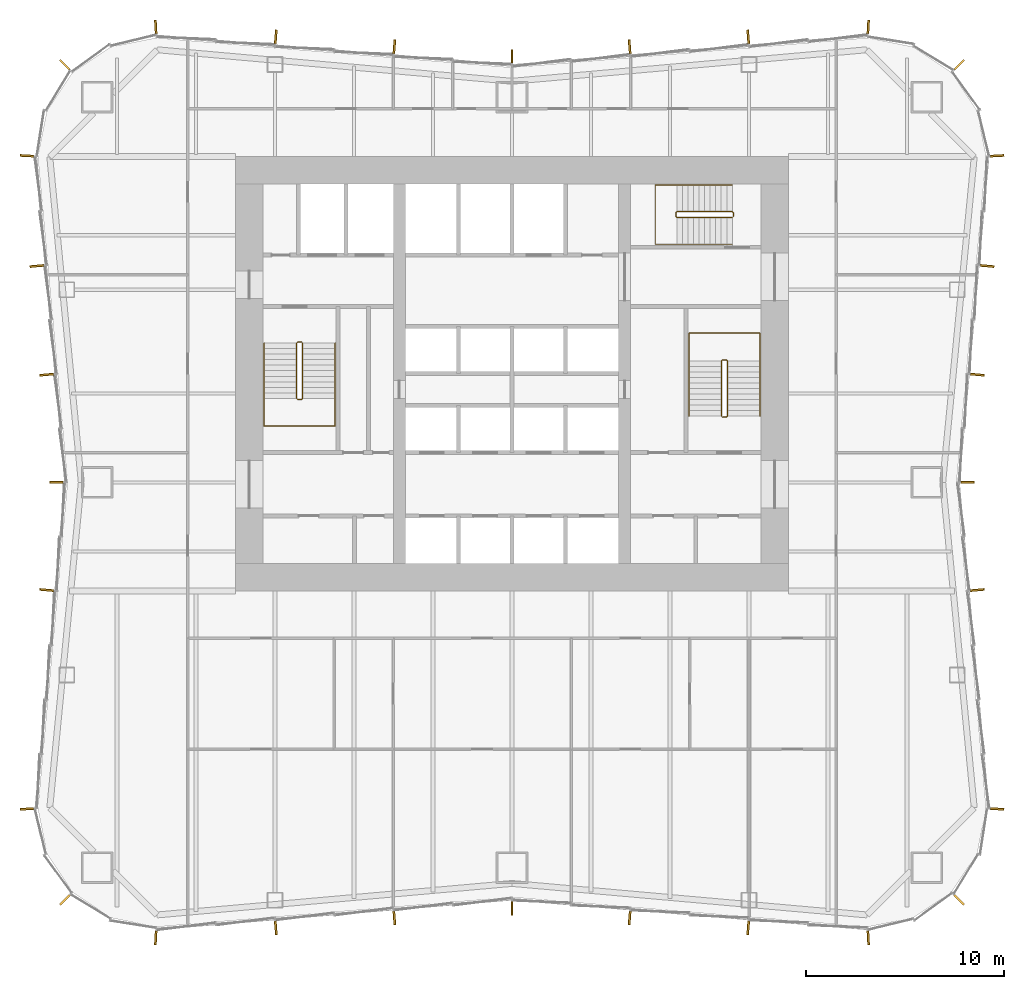
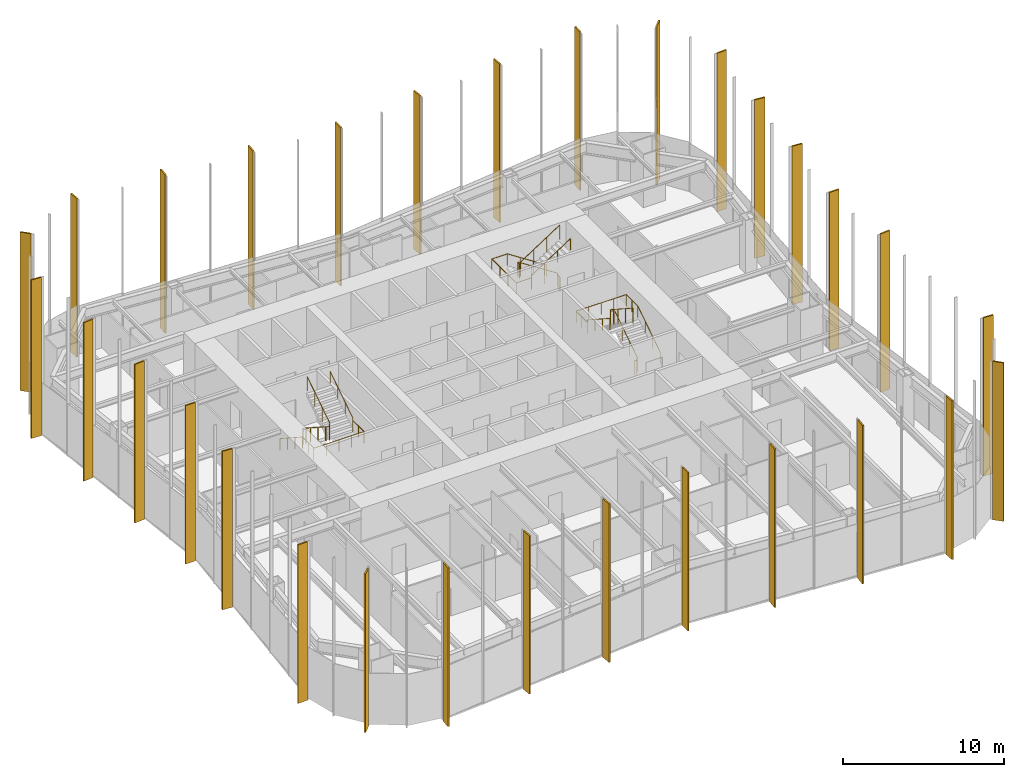
# One storey, part 13 of 13: 30 shading devices, 6 railings.
"""IFC4 building model written with IfcOpenShell, lengths in metres."""

from ifc_helpers import new_model, si_unit, direction, frame, origin, origin_2d, place, context, subcontext, project, spatial, rectangle, circle, extrude, material, layer, layer_set, type_object, element, save


model = new_model("IFC4")

# Units and contexts
model_context = context("Model", 3, precision=1e-05, world=origin(), true_north=direction((0.0, 1.0)))
body_context = subcontext(model_context, "Body", "Model", "MODEL_VIEW")
ifc_project = project(units=[si_unit("LENGTHUNIT", "METRE"), si_unit("AREAUNIT", "SQUARE_METRE"), si_unit("VOLUMEUNIT", "CUBIC_METRE"), si_unit("PLANEANGLEUNIT", "RADIAN"), si_unit("MASSUNIT", "GRAM", prefix="KILO")], contexts=[model_context])

# Site, building, storey
site_placement = place(None, origin())
site = spatial("IfcSite", under=ifc_project, at=site_placement, CompositionType="ELEMENT")
building_placement = place(site_placement, origin())
building = spatial("IfcBuilding", under=site, at=building_placement, Name="Verdant Reach Tower", CompositionType="ELEMENT")
storey_placement = place(building_placement, frame((0.0, 0.0, 38.0)))
storey = spatial("IfcBuildingStorey", under=building, at=storey_placement, Name="L08", CompositionType="ELEMENT", Elevation=38.0)

# Railings
ifc_material_1 = material(Name="Stainless steel", Category="steel")
railing_type_1 = type_object("IfcRailingType", Name="CO-GUARD", PredefinedType="GUARDRAIL", material=ifc_material_1)
railing_1_placement = place(storey_placement, frame((-10.64990234375, 29.60009765625, 0.0)))
element("IfcRailing", 1, at=railing_1_placement, inside=storey, type_object=railing_type_1, Name="L08 ST-1 stair guard 1", PredefinedType="GUARDRAIL", context=body_context, shape_type="SweptSolid", body=[
    extrude(circle(Radius=0.02392578125, at=origin_2d()), frame((0.0, 0.0, 1.076171875), z_axis=(-1.0, 0.0, 0.0), x_axis=(0.0, -1.0, 0.0)), (0.0, 0.0, 1.0), 0.2001953125),
    extrude(circle(Radius=0.02392578125, at=origin_2d()), frame((-0.2001953125, 0.0, 1.076171875), z_axis=(-0.25526617399, -0.256517478764, 0.932222056972), x_axis=(0.708833529934, -0.705375805398, 0.0)), (0.0, 0.0, 1.0), 0.195068359375),
    extrude(circle(Radius=0.02392578125, at=origin_2d()), frame((-0.25, -0.050048828125, 1.2578125), z_axis=(0.0, -0.838705829183, 0.544584733623), x_axis=(1.0, 0.0, 0.0)), (0.0, 0.0, 1.0), 3.338623046875),
    extrude(circle(Radius=0.02392578125, at=origin_2d()), frame((-0.25, -2.85009765625, 3.076171875), z_axis=(0.705375805398, -0.708833529934, 0.0), x_axis=(0.708833529934, 0.705375805398, 0.0)), (0.0, 0.0, 1.0), 0.070556640625),
    extrude(circle(Radius=0.02392578125, at=origin_2d()), frame((-0.2001953125, -2.900146484375, 3.076171875), z_axis=(1.0, 0.0, 0.0), x_axis=(0.0, 1.0, 0.0)), (0.0, 0.0, 1.0), 0.2001953125),
    extrude(circle(Radius=0.02392578125, at=origin_2d()), frame((0.0, -2.900146484375, 3.076171875), z_axis=(0.25526617399, 0.256517478764, 0.932222056972), x_axis=(-0.708833529934, 0.705375805398, 0.0)), (0.0, 0.0, 1.0), 0.195068359375),
    extrude(circle(Radius=0.02392578125, at=origin_2d()), frame((0.0498046875, -2.85009765625, 3.2578125), z_axis=(0.0, 0.838705829183, 0.544584733623), x_axis=(-1.0, 0.0, 0.0)), (0.0, 0.0, 1.0), 3.338623046875),
    extrude(circle(Radius=0.02099609375, at=origin_2d()), origin(), (0.0, 0.0, 1.0), 1.052001953125),
    extrude(circle(Radius=0.02099609375, at=origin_2d()), frame((-0.2001953125, 0.0, 0.0)), (0.0, 0.0, 1.0), 1.052001953125),
    extrude(circle(Radius=0.02099609375, at=origin_2d()), frame((-0.25, -0.050048828125, 0.181884765625)), (0.0, 0.0, 1.0), 1.052001953125),
    extrude(circle(Radius=0.02099609375, at=origin_2d()), frame((-0.25, -0.9833984375, 0.787841796875)), (0.0, 0.0, 1.0), 1.052001953125),
    extrude(circle(Radius=0.02099609375, at=origin_2d()), frame((-0.25, -1.916748046875, 1.39404296875)), (0.0, 0.0, 1.0), 1.052001953125),
    extrude(circle(Radius=0.02099609375, at=origin_2d()), frame((-0.25, -2.85009765625, 2.0)), (0.0, 0.0, 1.0), 1.052001953125),
    extrude(circle(Radius=0.02099609375, at=origin_2d()), frame((-0.2001953125, -2.900146484375, 2.0)), (0.0, 0.0, 1.0), 1.052001953125),
    extrude(circle(Radius=0.02099609375, at=origin_2d()), frame((0.0, -2.900146484375, 2.0)), (0.0, 0.0, 1.0), 1.052001953125),
    extrude(circle(Radius=0.02099609375, at=origin_2d()), frame((0.0498046875, -2.85009765625, 2.181884765625)), (0.0, 0.0, 1.0), 1.052001953125),
    extrude(circle(Radius=0.02099609375, at=origin_2d()), frame((0.0498046875, -1.916748046875, 2.787841796875)), (0.0, 0.0, 1.0), 1.052001953125),
    extrude(circle(Radius=0.02099609375, at=origin_2d()), frame((0.0498046875, -0.9833984375, 3.39404296875)), (0.0, 0.0, 1.0), 1.052001953125),
    extrude(circle(Radius=0.02099609375, at=origin_2d()), frame((0.0498046875, -0.050048828125, 4.0)), (0.0, 0.0, 1.0), 1.052001953125),
])
railing_2_placement = place(storey_placement, frame((10.64990234375, 25.800048828125, 0.0)))
element("IfcRailing", 2, at=railing_2_placement, inside=storey, type_object=railing_type_1, Name="L08 ST-2 stair guard 1", PredefinedType="GUARDRAIL", context=body_context, shape_type="SweptSolid", body=[
    extrude(circle(Radius=0.02392578125, at=origin_2d()), frame((0.0, 0.0, 1.076171875), z_axis=(1.0, 0.0, 0.0), x_axis=(0.0, 1.0, 0.0)), (0.0, 0.0, 1.0), 0.2001953125),
    extrude(circle(Radius=0.02392578125, at=origin_2d()), frame((0.2001953125, 0.0, 1.076171875), z_axis=(0.25526617399, 0.256517478764, 0.932222056972), x_axis=(-0.708833529934, 0.705375805398, 0.0)), (0.0, 0.0, 1.0), 0.195068359375),
    extrude(circle(Radius=0.02392578125, at=origin_2d()), frame((0.25, 0.050048828125, 1.2578125), z_axis=(0.0, 0.83868413941, 0.544618136222), x_axis=(-1.0, 0.0, 0.0)), (0.0, 0.0, 1.0), 3.33837890625),
    extrude(circle(Radius=0.02392578125, at=origin_2d()), frame((0.25, 2.849853515625, 3.076171875), z_axis=(-0.705375805398, 0.708833529934, 0.0), x_axis=(-0.708833529934, -0.705375805398, 0.0)), (0.0, 0.0, 1.0), 0.070556640625),
    extrude(circle(Radius=0.02392578125, at=origin_2d()), frame((0.2001953125, 2.89990234375, 3.076171875), z_axis=(-1.0, 0.0, 0.0), x_axis=(0.0, -1.0, 0.0)), (0.0, 0.0, 1.0), 0.2001953125),
    extrude(circle(Radius=0.02392578125, at=origin_2d()), frame((0.0, 2.89990234375, 3.076171875), z_axis=(-0.25526617399, -0.256517478764, 0.932222056972), x_axis=(0.708833529934, -0.705375805398, 0.0)), (0.0, 0.0, 1.0), 0.195068359375),
    extrude(circle(Radius=0.02392578125, at=origin_2d()), frame((-0.0498046875, 2.849853515625, 3.2578125), z_axis=(0.0, -0.83868413941, 0.544618136222), x_axis=(1.0, 0.0, 0.0)), (0.0, 0.0, 1.0), 3.33837890625),
    extrude(circle(Radius=0.02099609375, at=origin_2d()), origin(), (0.0, 0.0, 1.0), 1.052001953125),
    extrude(circle(Radius=0.02099609375, at=origin_2d()), frame((0.2001953125, 0.0, 0.0)), (0.0, 0.0, 1.0), 1.052001953125),
    extrude(circle(Radius=0.02099609375, at=origin_2d()), frame((0.25, 0.050048828125, 0.181884765625)), (0.0, 0.0, 1.0), 1.052001953125),
    extrude(circle(Radius=0.02099609375, at=origin_2d()), frame((0.25, 0.9833984375, 0.787841796875)), (0.0, 0.0, 1.0), 1.052001953125),
    extrude(circle(Radius=0.02099609375, at=origin_2d()), frame((0.25, 1.91650390625, 1.39404296875)), (0.0, 0.0, 1.0), 1.052001953125),
    extrude(circle(Radius=0.02099609375, at=origin_2d()), frame((0.25, 2.849853515625, 2.0)), (0.0, 0.0, 1.0), 1.052001953125),
    extrude(circle(Radius=0.02099609375, at=origin_2d()), frame((0.2001953125, 2.89990234375, 2.0)), (0.0, 0.0, 1.0), 1.052001953125),
    extrude(circle(Radius=0.02099609375, at=origin_2d()), frame((0.0, 2.89990234375, 2.0)), (0.0, 0.0, 1.0), 1.052001953125),
    extrude(circle(Radius=0.02099609375, at=origin_2d()), frame((-0.0498046875, 2.849853515625, 2.181884765625)), (0.0, 0.0, 1.0), 1.052001953125),
    extrude(circle(Radius=0.02099609375, at=origin_2d()), frame((-0.0498046875, 1.91650390625, 2.787841796875)), (0.0, 0.0, 1.0), 1.052001953125),
    extrude(circle(Radius=0.02099609375, at=origin_2d()), frame((-0.0498046875, 0.9833984375, 3.39404296875)), (0.0, 0.0, 1.0), 1.052001953125),
    extrude(circle(Radius=0.02099609375, at=origin_2d()), frame((-0.0498046875, 0.050048828125, 4.0)), (0.0, 0.0, 1.0), 1.052001953125),
])
railing_3_placement = place(storey_placement, frame((11.199951171875, 35.949951171875, 0.0)))
element("IfcRailing", 3, at=railing_3_placement, inside=storey, type_object=railing_type_1, Name="L08 ST-3 stair guard 1", PredefinedType="GUARDRAIL", context=body_context, shape_type="SweptSolid", body=[
    extrude(circle(Radius=0.02392578125, at=origin_2d()), frame((0.0, 0.0, 1.076171875), z_axis=(0.0, 1.0, 0.0), x_axis=(-1.0, 0.0, 0.0)), (0.0, 0.0, 1.0), 0.199951171875),
    extrude(circle(Radius=0.02392578125, at=origin_2d()), frame((0.0, 0.199951171875, 1.076171875), z_axis=(-0.256435381639, 0.256435381639, 0.931923704005), x_axis=(-0.707106781187, -0.707106781187, 0.0)), (0.0, 0.0, 1.0), 0.195068359375),
    extrude(circle(Radius=0.02392578125, at=origin_2d()), frame((-0.050048828125, 0.25, 1.2578125), z_axis=(-0.83868413941, 0.0, 0.544618136222), x_axis=(0.0, -1.0, 0.0)), (0.0, 0.0, 1.0), 3.33837890625),
    extrude(circle(Radius=0.02392578125, at=origin_2d()), frame((-2.849853515625, 0.25, 3.076171875), z_axis=(-0.707106781187, -0.707106781187, 0.0), x_axis=(0.707106781187, -0.707106781187, 0.0)), (0.0, 0.0, 1.0), 0.07080078125),
    extrude(circle(Radius=0.02392578125, at=origin_2d()), frame((-2.89990234375, 0.199951171875, 3.076171875), z_axis=(0.0, -1.0, 0.0), x_axis=(1.0, 0.0, 0.0)), (0.0, 0.0, 1.0), 0.199951171875),
    extrude(circle(Radius=0.02392578125, at=origin_2d()), frame((-2.89990234375, 0.0, 3.076171875), z_axis=(0.256435381639, -0.256435381639, 0.931923704005), x_axis=(0.707106781187, 0.707106781187, 0.0)), (0.0, 0.0, 1.0), 0.195068359375),
    extrude(circle(Radius=0.02392578125, at=origin_2d()), frame((-2.849853515625, -0.050048828125, 3.2578125), z_axis=(0.83868413941, 0.0, 0.544618136222), x_axis=(0.0, 1.0, 0.0)), (0.0, 0.0, 1.0), 3.33837890625),
    extrude(circle(Radius=0.02099609375, at=origin_2d()), origin(), (0.0, 0.0, 1.0), 1.052001953125),
    extrude(circle(Radius=0.02099609375, at=origin_2d()), frame((0.0, 0.199951171875, 0.0)), (0.0, 0.0, 1.0), 1.052001953125),
    extrude(circle(Radius=0.02099609375, at=origin_2d()), frame((-0.050048828125, 0.25, 0.181884765625)), (0.0, 0.0, 1.0), 1.052001953125),
    extrude(circle(Radius=0.02099609375, at=origin_2d()), frame((-0.9833984375, 0.25, 0.787841796875)), (0.0, 0.0, 1.0), 1.052001953125),
    extrude(circle(Radius=0.02099609375, at=origin_2d()), frame((-1.91650390625, 0.25, 1.39404296875)), (0.0, 0.0, 1.0), 1.052001953125),
    extrude(circle(Radius=0.02099609375, at=origin_2d()), frame((-2.849853515625, 0.25, 2.0)), (0.0, 0.0, 1.0), 1.052001953125),
    extrude(circle(Radius=0.02099609375, at=origin_2d()), frame((-2.89990234375, 0.199951171875, 2.0)), (0.0, 0.0, 1.0), 1.052001953125),
    extrude(circle(Radius=0.02099609375, at=origin_2d()), frame((-2.89990234375, 0.0, 2.0)), (0.0, 0.0, 1.0), 1.052001953125),
    extrude(circle(Radius=0.02099609375, at=origin_2d()), frame((-2.849853515625, -0.050048828125, 2.181884765625)), (0.0, 0.0, 1.0), 1.052001953125),
    extrude(circle(Radius=0.02099609375, at=origin_2d()), frame((-1.91650390625, -0.050048828125, 2.787841796875)), (0.0, 0.0, 1.0), 1.052001953125),
    extrude(circle(Radius=0.02099609375, at=origin_2d()), frame((-0.9833984375, -0.050048828125, 3.39404296875)), (0.0, 0.0, 1.0), 1.052001953125),
    extrude(circle(Radius=0.02099609375, at=origin_2d()), frame((-0.050048828125, -0.050048828125, 4.0)), (0.0, 0.0, 1.0), 1.052001953125),
])
railing_type_2 = type_object("IfcRailingType", Name="CO-HANDRAIL", PredefinedType="HANDRAIL", material=ifc_material_1)
railing_4_placement = place(storey_placement, frame((-12.550048828125, 29.550048828125, 0.181884765625)))
element("IfcRailing", 4, at=railing_4_placement, inside=storey, type_object=railing_type_2, Name="L08 ST-1 stair handrail 1", PredefinedType="HANDRAIL", context=body_context, shape_type="SweptSolid", body=[
    extrude(circle(Radius=0.02392578125, at=origin_2d()), frame((0.0, 0.0, 0.8759765625), z_axis=(0.0, -0.838705829183, 0.544584733623), x_axis=(1.0, 0.0, 0.0)), (0.0, 0.0, 1.0), 3.338623046875),
    extrude(circle(Radius=0.02392578125, at=origin_2d()), frame((0.0, -2.800048828125, 2.69384765625), z_axis=(0.0, -1.0, 0.0), x_axis=(1.0, 0.0, 0.0)), (0.0, 0.0, 1.0), 1.39990234375),
    extrude(circle(Radius=0.02392578125, at=origin_2d()), frame((0.0, -4.199951171875, 2.69384765625), z_axis=(1.0, 0.0, 0.0), x_axis=(0.0, 1.0, 0.0)), (0.0, 0.0, 1.0), 3.60009765625),
    extrude(circle(Radius=0.02392578125, at=origin_2d()), frame((3.60009765625, -4.199951171875, 2.69384765625), z_axis=(0.0, 1.0, 0.0), x_axis=(-1.0, 0.0, 0.0)), (0.0, 0.0, 1.0), 1.39990234375),
    extrude(circle(Radius=0.02392578125, at=origin_2d()), frame((3.60009765625, -2.800048828125, 2.69384765625), z_axis=(0.0, 0.0, 1.0), x_axis=(1.0, 0.0, 0.0)), (0.0, 0.0, 1.0), 0.181884765625),
    extrude(circle(Radius=0.02392578125, at=origin_2d()), frame((3.60009765625, -2.800048828125, 2.8759765625), z_axis=(0.0, 0.838705829183, 0.544584733623), x_axis=(-1.0, 0.0, 0.0)), (0.0, 0.0, 1.0), 3.338623046875),
    extrude(circle(Radius=0.02099609375, at=origin_2d()), origin(), (0.0, 0.0, 1.0), 0.851806640625),
    extrude(circle(Radius=0.02099609375, at=origin_2d()), frame((0.0, -0.933349609375, 0.60595703125)), (0.0, 0.0, 1.0), 0.851806640625),
    extrude(circle(Radius=0.02099609375, at=origin_2d()), frame((0.0, -1.86669921875, 1.212158203125)), (0.0, 0.0, 1.0), 0.851806640625),
    extrude(circle(Radius=0.02099609375, at=origin_2d()), frame((0.0, -2.800048828125, 1.818115234375)), (0.0, 0.0, 1.0), 0.851806640625),
    extrude(circle(Radius=0.02099609375, at=origin_2d()), frame((0.0, -3.5, 1.818115234375)), (0.0, 0.0, 1.0), 0.851806640625),
    extrude(circle(Radius=0.02099609375, at=origin_2d()), frame((0.0, -4.199951171875, 1.818115234375)), (0.0, 0.0, 1.0), 0.851806640625),
    extrude(circle(Radius=0.02099609375, at=origin_2d()), frame((0.89990234375, -4.199951171875, 1.818115234375)), (0.0, 0.0, 1.0), 0.851806640625),
    extrude(circle(Radius=0.02099609375, at=origin_2d()), frame((1.800048828125, -4.199951171875, 1.818115234375)), (0.0, 0.0, 1.0), 0.851806640625),
    extrude(circle(Radius=0.02099609375, at=origin_2d()), frame((2.7001953125, -4.199951171875, 1.818115234375)), (0.0, 0.0, 1.0), 0.851806640625),
    extrude(circle(Radius=0.02099609375, at=origin_2d()), frame((3.60009765625, -4.199951171875, 1.818115234375)), (0.0, 0.0, 1.0), 0.851806640625),
    extrude(circle(Radius=0.02099609375, at=origin_2d()), frame((3.60009765625, -3.5, 1.818115234375)), (0.0, 0.0, 1.0), 0.851806640625),
    extrude(circle(Radius=0.02099609375, at=origin_2d()), frame((3.60009765625, -2.800048828125, 1.818115234375)), (0.0, 0.0, 1.0), 0.851806640625),
    extrude(circle(Radius=0.02099609375, at=origin_2d()), frame((3.60009765625, -2.800048828125, 2.0)), (0.0, 0.0, 1.0), 0.851806640625),
    extrude(circle(Radius=0.02099609375, at=origin_2d()), frame((3.60009765625, -1.86669921875, 2.60595703125)), (0.0, 0.0, 1.0), 0.851806640625),
    extrude(circle(Radius=0.02099609375, at=origin_2d()), frame((3.60009765625, -0.933349609375, 3.212158203125)), (0.0, 0.0, 1.0), 0.851806640625),
    extrude(circle(Radius=0.02099609375, at=origin_2d()), frame((3.60009765625, 0.0, 3.818115234375)), (0.0, 0.0, 1.0), 0.851806640625),
])
railing_5_placement = place(storey_placement, frame((12.550048828125, 25.85009765625, 0.181884765625)))
element("IfcRailing", 5, at=railing_5_placement, inside=storey, type_object=railing_type_2, Name="L08 ST-2 stair handrail 1", PredefinedType="HANDRAIL", context=body_context, shape_type="SweptSolid", body=[
    extrude(circle(Radius=0.02392578125, at=origin_2d()), frame((0.0, 0.0, 0.8759765625), z_axis=(0.0, 0.83868413941, 0.544618136222), x_axis=(-1.0, 0.0, 0.0)), (0.0, 0.0, 1.0), 3.33837890625),
    extrude(circle(Radius=0.02392578125, at=origin_2d()), frame((0.0, 2.7998046875, 2.69384765625), z_axis=(0.0, 1.0, 0.0), x_axis=(-1.0, 0.0, 0.0)), (0.0, 0.0, 1.0), 1.400146484375),
    extrude(circle(Radius=0.02392578125, at=origin_2d()), frame((0.0, 4.199951171875, 2.69384765625), z_axis=(-1.0, 0.0, 0.0), x_axis=(0.0, -1.0, 0.0)), (0.0, 0.0, 1.0), 3.60009765625),
    extrude(circle(Radius=0.02392578125, at=origin_2d()), frame((-3.60009765625, 4.199951171875, 2.69384765625), z_axis=(0.0, -1.0, 0.0), x_axis=(1.0, 0.0, 0.0)), (0.0, 0.0, 1.0), 1.400146484375),
    extrude(circle(Radius=0.02392578125, at=origin_2d()), frame((-3.60009765625, 2.7998046875, 2.69384765625), z_axis=(0.0, 0.0, 1.0), x_axis=(1.0, 0.0, 0.0)), (0.0, 0.0, 1.0), 0.181884765625),
    extrude(circle(Radius=0.02392578125, at=origin_2d()), frame((-3.60009765625, 2.7998046875, 2.8759765625), z_axis=(0.0, -0.83868413941, 0.544618136222), x_axis=(1.0, 0.0, 0.0)), (0.0, 0.0, 1.0), 3.33837890625),
    extrude(circle(Radius=0.02099609375, at=origin_2d()), origin(), (0.0, 0.0, 1.0), 0.851806640625),
    extrude(circle(Radius=0.02099609375, at=origin_2d()), frame((0.0, 0.933349609375, 0.60595703125)), (0.0, 0.0, 1.0), 0.851806640625),
    extrude(circle(Radius=0.02099609375, at=origin_2d()), frame((0.0, 1.866455078125, 1.212158203125)), (0.0, 0.0, 1.0), 0.851806640625),
    extrude(circle(Radius=0.02099609375, at=origin_2d()), frame((0.0, 2.7998046875, 1.818115234375)), (0.0, 0.0, 1.0), 0.851806640625),
    extrude(circle(Radius=0.02099609375, at=origin_2d()), frame((0.0, 3.5, 1.818115234375)), (0.0, 0.0, 1.0), 0.851806640625),
    extrude(circle(Radius=0.02099609375, at=origin_2d()), frame((0.0, 4.199951171875, 1.818115234375)), (0.0, 0.0, 1.0), 0.851806640625),
    extrude(circle(Radius=0.02099609375, at=origin_2d()), frame((-0.89990234375, 4.199951171875, 1.818115234375)), (0.0, 0.0, 1.0), 0.851806640625),
    extrude(circle(Radius=0.02099609375, at=origin_2d()), frame((-1.800048828125, 4.199951171875, 1.818115234375)), (0.0, 0.0, 1.0), 0.851806640625),
    extrude(circle(Radius=0.02099609375, at=origin_2d()), frame((-2.7001953125, 4.199951171875, 1.818115234375)), (0.0, 0.0, 1.0), 0.851806640625),
    extrude(circle(Radius=0.02099609375, at=origin_2d()), frame((-3.60009765625, 4.199951171875, 1.818115234375)), (0.0, 0.0, 1.0), 0.851806640625),
    extrude(circle(Radius=0.02099609375, at=origin_2d()), frame((-3.60009765625, 3.5, 1.818115234375)), (0.0, 0.0, 1.0), 0.851806640625),
    extrude(circle(Radius=0.02099609375, at=origin_2d()), frame((-3.60009765625, 2.7998046875, 1.818115234375)), (0.0, 0.0, 1.0), 0.851806640625),
    extrude(circle(Radius=0.02099609375, at=origin_2d()), frame((-3.60009765625, 2.7998046875, 2.0)), (0.0, 0.0, 1.0), 0.851806640625),
    extrude(circle(Radius=0.02099609375, at=origin_2d()), frame((-3.60009765625, 1.866455078125, 2.60595703125)), (0.0, 0.0, 1.0), 0.851806640625),
    extrude(circle(Radius=0.02099609375, at=origin_2d()), frame((-3.60009765625, 0.933349609375, 3.212158203125)), (0.0, 0.0, 1.0), 0.851806640625),
    extrude(circle(Radius=0.02099609375, at=origin_2d()), frame((-3.60009765625, 0.0, 3.818115234375)), (0.0, 0.0, 1.0), 0.851806640625),
])
railing_6_placement = place(storey_placement, frame((11.14990234375, 37.550048828125, 0.181884765625)))
element("IfcRailing", 6, at=railing_6_placement, inside=storey, type_object=railing_type_2, Name="L08 ST-3 stair handrail 1", PredefinedType="HANDRAIL", context=body_context, shape_type="SweptSolid", body=[
    extrude(circle(Radius=0.02392578125, at=origin_2d()), frame((0.0, 0.0, 0.8759765625), z_axis=(-0.83868413941, 0.0, 0.544618136222), x_axis=(0.0, -1.0, 0.0)), (0.0, 0.0, 1.0), 3.33837890625),
    extrude(circle(Radius=0.02392578125, at=origin_2d()), frame((-2.7998046875, 0.0, 2.69384765625), z_axis=(-1.0, 0.0, 0.0), x_axis=(0.0, -1.0, 0.0)), (0.0, 0.0, 1.0), 1.10009765625),
    extrude(circle(Radius=0.02392578125, at=origin_2d()), frame((-3.89990234375, 0.0, 2.69384765625), z_axis=(0.0, -1.0, 0.0), x_axis=(1.0, 0.0, 0.0)), (0.0, 0.0, 1.0), 3.0),
    extrude(circle(Radius=0.02392578125, at=origin_2d()), frame((-3.89990234375, -3.0, 2.69384765625), z_axis=(1.0, 0.0, 0.0), x_axis=(0.0, 1.0, 0.0)), (0.0, 0.0, 1.0), 1.10009765625),
    extrude(circle(Radius=0.02392578125, at=origin_2d()), frame((-2.7998046875, -3.0, 2.69384765625), z_axis=(0.0, 0.0, 1.0), x_axis=(1.0, 0.0, 0.0)), (0.0, 0.0, 1.0), 0.181884765625),
    extrude(circle(Radius=0.02392578125, at=origin_2d()), frame((-2.7998046875, -3.0, 2.8759765625), z_axis=(0.83868413941, 0.0, 0.544618136222), x_axis=(0.0, 1.0, 0.0)), (0.0, 0.0, 1.0), 3.33837890625),
    extrude(circle(Radius=0.02099609375, at=origin_2d()), origin(), (0.0, 0.0, 1.0), 0.851806640625),
    extrude(circle(Radius=0.02099609375, at=origin_2d()), frame((-0.933349609375, 0.0, 0.60595703125)), (0.0, 0.0, 1.0), 0.851806640625),
    extrude(circle(Radius=0.02099609375, at=origin_2d()), frame((-1.866455078125, 0.0, 1.212158203125)), (0.0, 0.0, 1.0), 0.851806640625),
    extrude(circle(Radius=0.02099609375, at=origin_2d()), frame((-2.7998046875, 0.0, 1.818115234375)), (0.0, 0.0, 1.0), 0.851806640625),
    extrude(circle(Radius=0.02099609375, at=origin_2d()), frame((-3.89990234375, 0.0, 1.818115234375)), (0.0, 0.0, 1.0), 0.851806640625),
    extrude(circle(Radius=0.02099609375, at=origin_2d()), frame((-3.89990234375, -1.0, 1.818115234375)), (0.0, 0.0, 1.0), 0.851806640625),
    extrude(circle(Radius=0.02099609375, at=origin_2d()), frame((-3.89990234375, -2.0, 1.818115234375)), (0.0, 0.0, 1.0), 0.851806640625),
    extrude(circle(Radius=0.02099609375, at=origin_2d()), frame((-3.89990234375, -3.0, 1.818115234375)), (0.0, 0.0, 1.0), 0.851806640625),
    extrude(circle(Radius=0.02099609375, at=origin_2d()), frame((-2.7998046875, -3.0, 1.818115234375)), (0.0, 0.0, 1.0), 0.851806640625),
    extrude(circle(Radius=0.02099609375, at=origin_2d()), frame((-2.7998046875, -3.0, 2.0)), (0.0, 0.0, 1.0), 0.851806640625),
    extrude(circle(Radius=0.02099609375, at=origin_2d()), frame((-1.866455078125, -3.0, 2.60595703125)), (0.0, 0.0, 1.0), 0.851806640625),
    extrude(circle(Radius=0.02099609375, at=origin_2d()), frame((-0.933349609375, -3.0, 3.212158203125)), (0.0, 0.0, 1.0), 0.851806640625),
    extrude(circle(Radius=0.02099609375, at=origin_2d()), frame((0.0, -3.0, 3.818115234375)), (0.0, 0.0, 1.0), 0.851806640625),
])

# Shading devices
ifc_material_2 = material(Name="Bronze fin, champagne", Category="aluminium")
ifc_layer_1 = layer(ifc_material_2, 0.10009765625)
ifc_layer_set_1 = layer_set([ifc_layer_1], Name="EN-FIN CHAMPAGNE")
shading_device_type_1 = type_object("IfcShadingDeviceType", Name="EN-FIN CHAMPAGNE", PredefinedType="USERDEFINED", material=ifc_layer_set_1)
for number, where, z_axis, x_axis, name in (
    (7, (22.631591796875, 1.368408203125, -0.35009765625), (0.0, 0.0, 1.0), (0.707106781187, 0.707106781187, 0.0), "Fin south-east corner 3, L08"),
    (8, (24.54931640625, 5.970947265625, -0.35009765625), (0.0, 0.0, 1.0), (0.052815489107, 0.998604288049, 0.0), "Fin east face part 1 1, L08"),
    (9, (23.5478515625, 27.9501953125, -0.35009765625), (0.0, 0.0, 1.0), (0.090535746047, 0.995893206467, 0.0), "Fin east face part 2 3, L08"),
    (10, (24.54931640625, 39.029052734375, -0.35009765625), (0.0, 0.0, 1.0), (-0.052815489107, 0.998604288049, 0.0), "Fin north-east corner 1, L08"),
    (11, (0.0, 44.050048828125, -0.35009765625), (0.0, 0.0, 1.0), (-1.0, 0.0, 0.0), "Fin north face part 2 1, L08"),
    (12, (-23.5478515625, 27.9501953125, -0.35009765625), (0.0, 0.0, 1.0), (0.090535746047, -0.995893206467, 0.0), "Fin west face part 1 5, L08"),
    (13, (-11.954345703125, -0.048095703125, -0.35009765625), (0.0, 0.0, 1.0), (0.996545758244, 0.083045479859, 0.0), "Fin south face part 1 3, L08"),
    (14, (5.954345703125, 0.451904296875, -0.35009765625), (0.0, 0.0, 1.0), (0.996545758244, -0.083045479859, 0.0), "Fin south face part 2 3, L08"),
    (15, (11.954345703125, -0.048095703125, -0.35009765625), (0.0, 0.0, 1.0), (0.996545758244, -0.083045479859, 0.0), "Fin south face part 2 5, L08"),
):
    element("IfcShadingDevice", number, at=place(storey_placement, frame(where, z_axis=z_axis, x_axis=x_axis)), inside=storey, type_object=shading_device_type_1, Name=name, ObjectType="FIN", PredefinedType="USERDEFINED", context=body_context, shape_type="SweptSolid", body=[
        extrude(rectangle(XDim=0.10009765625, YDim=0.699951171875, at=origin_2d()), origin(), (0.0, 0.0, 1.0), 12.0),
    ])
ifc_material_3 = material(Name="Bronze fin, copper", Category="aluminium")
ifc_layer_2 = layer(ifc_material_3, 0.10009765625)
ifc_layer_set_2 = layer_set([ifc_layer_2], Name="EN-FIN COPPER")
shading_device_type_2 = type_object("IfcShadingDeviceType", Name="EN-FIN COPPER", PredefinedType="USERDEFINED", material=ifc_layer_set_2)
for number, where, z_axis, x_axis, name in (
    (16, (24.0478515625, 33.4501953125, -0.35009765625), (0.0, 0.0, 1.0), (0.090535746047, 0.995893206467, 0.0), "Fin east face part 2 5, L08"),
    (17, (22.631591796875, 43.631591796875, -0.35009765625), (0.0, 0.0, 1.0), (-0.707106781187, 0.707106781187, 0.0), "Fin north-east corner 3, L08"),
    (18, (18.031005859375, 45.549072265625, -0.35009765625), (0.0, 0.0, 1.0), (-0.998398681387, 0.056569187765, 0.0), "Fin north face part 1 1, L08"),
    (19, (-5.954345703125, 44.548095703125, -0.35009765625), (0.0, 0.0, 1.0), (-0.996545758244, 0.083045479859, 0.0), "Fin north face part 2 3, L08"),
    (20, (-18.031005859375, 45.549072265625, -0.35009765625), (0.0, 0.0, 1.0), (-0.998398681387, -0.056569187765, 0.0), "Fin north-west corner 1, L08"),
    (21, (-24.54931640625, 39.029052734375, -0.35009765625), (0.0, 0.0, 1.0), (-0.052815489107, -0.998604288049, 0.0), "Fin west face part 1 1, L08"),
    (22, (-23.050048828125, 22.5, -0.35009765625), (0.0, 0.0, 1.0), (0.0, -1.0, 0.0), "Fin west face part 2 1, L08"),
    (23, (-24.54931640625, 5.970947265625, -0.35009765625), (0.0, 0.0, 1.0), (0.052815489107, -0.998604288049, 0.0), "Fin south-west corner 1, L08"),
    (24, (-5.954345703125, 0.451904296875, -0.35009765625), (0.0, 0.0, 1.0), (0.996545758244, 0.083045479859, 0.0), "Fin south face part 1 5, L08"),
):
    element("IfcShadingDevice", number, at=place(storey_placement, frame(where, z_axis=z_axis, x_axis=x_axis)), inside=storey, type_object=shading_device_type_2, Name=name, ObjectType="FIN", PredefinedType="USERDEFINED", context=body_context, shape_type="SweptSolid", body=[
        extrude(rectangle(XDim=0.10009765625, YDim=0.699951171875, at=origin_2d()), origin(), (0.0, 0.0, 1.0), 12.0),
    ])
ifc_material_4 = material(Name="Bronze fin, dark bronze", Category="aluminium")
ifc_layer_3 = layer(ifc_material_4, 0.10009765625)
ifc_layer_set_3 = layer_set([ifc_layer_3], Name="EN-FIN DARK")
shading_device_type_3 = type_object("IfcShadingDeviceType", Name="EN-FIN DARK", PredefinedType="USERDEFINED", material=ifc_layer_set_3)
for number, where, z_axis, x_axis, name in (
    (25, (18.031005859375, -0.549072265625, -0.35009765625), (0.0, 0.0, 1.0), (0.998398681387, 0.056569187765, 0.0), "Fin south-east corner 1, L08"),
    (26, (23.5478515625, 17.0498046875, -0.35009765625), (0.0, 0.0, 1.0), (-0.090535746047, 0.995893206467, 0.0), "Fin east face part 1 5, L08"),
    (27, (23.050048828125, 22.5, -0.35009765625), (0.0, 0.0, 1.0), (0.0, 1.0, 0.0), "Fin east face part 2 1, L08"),
    (28, (11.954345703125, 45.048095703125, -0.35009765625), (0.0, 0.0, 1.0), (-0.996545758244, -0.083045479859, 0.0), "Fin north face part 1 3, L08"),
    (29, (5.954345703125, 44.548095703125, -0.35009765625), (0.0, 0.0, 1.0), (-0.996545758244, -0.083045479859, 0.0), "Fin north face part 1 5, L08"),
    (30, (-11.954345703125, 45.048095703125, -0.35009765625), (0.0, 0.0, 1.0), (-0.996545758244, 0.083045479859, 0.0), "Fin north face part 2 5, L08"),
    (31, (-22.631591796875, 43.631591796875, -0.35009765625), (0.0, 0.0, 1.0), (-0.707106781187, -0.707106781187, 0.0), "Fin north-west corner 3, L08"),
    (32, (-24.0478515625, 33.4501953125, -0.35009765625), (0.0, 0.0, 1.0), (0.090535746047, -0.995893206467, 0.0), "Fin west face part 1 3, L08"),
    (33, (-23.5478515625, 17.0498046875, -0.35009765625), (0.0, 0.0, 1.0), (-0.090535746047, -0.995893206467, 0.0), "Fin west face part 2 3, L08"),
    (34, (-22.631591796875, 1.368408203125, -0.35009765625), (0.0, 0.0, 1.0), (0.707106781187, -0.707106781187, 0.0), "Fin south-west corner 3, L08"),
    (35, (-18.031005859375, -0.549072265625, -0.35009765625), (0.0, 0.0, 1.0), (0.998398681387, -0.056569187765, 0.0), "Fin south face part 1 1, L08"),
    (36, (0.0, 0.949951171875, -0.35009765625), (0.0, 0.0, 1.0), (1.0, 0.0, 0.0), "Fin south face part 2 1, L08"),
):
    element("IfcShadingDevice", number, at=place(storey_placement, frame(where, z_axis=z_axis, x_axis=x_axis)), inside=storey, type_object=shading_device_type_3, Name=name, ObjectType="FIN", PredefinedType="USERDEFINED", context=body_context, shape_type="SweptSolid", body=[
        extrude(rectangle(XDim=0.10009765625, YDim=0.699951171875, at=origin_2d()), origin(), (0.0, 0.0, 1.0), 12.0),
    ])

save(model, "model.ifc")
